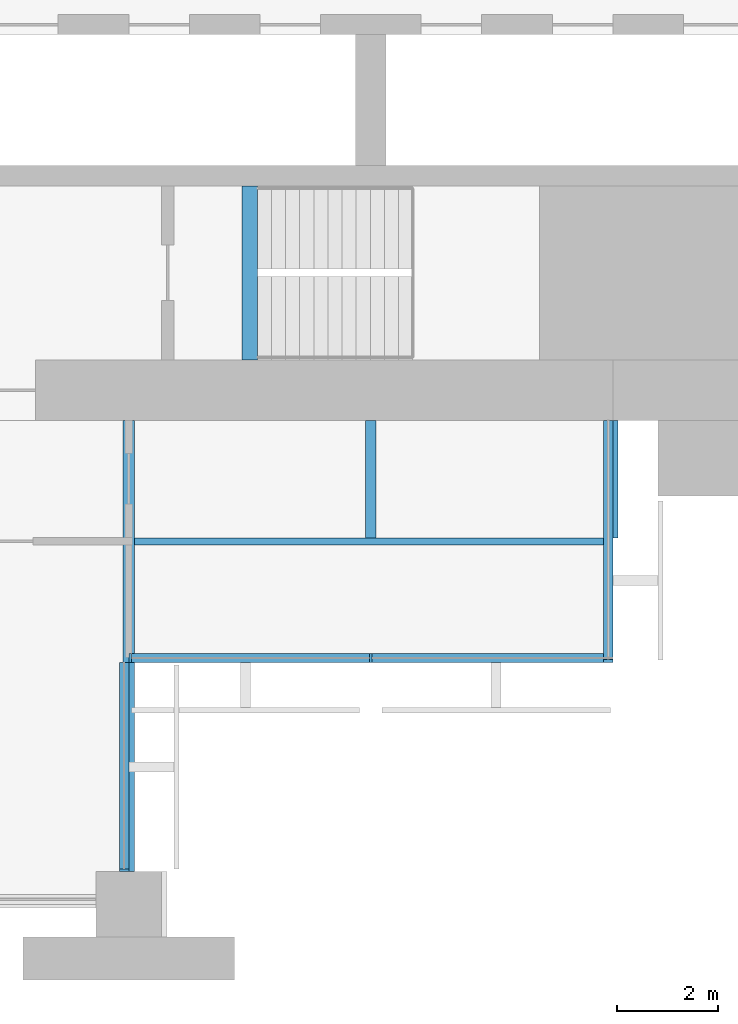
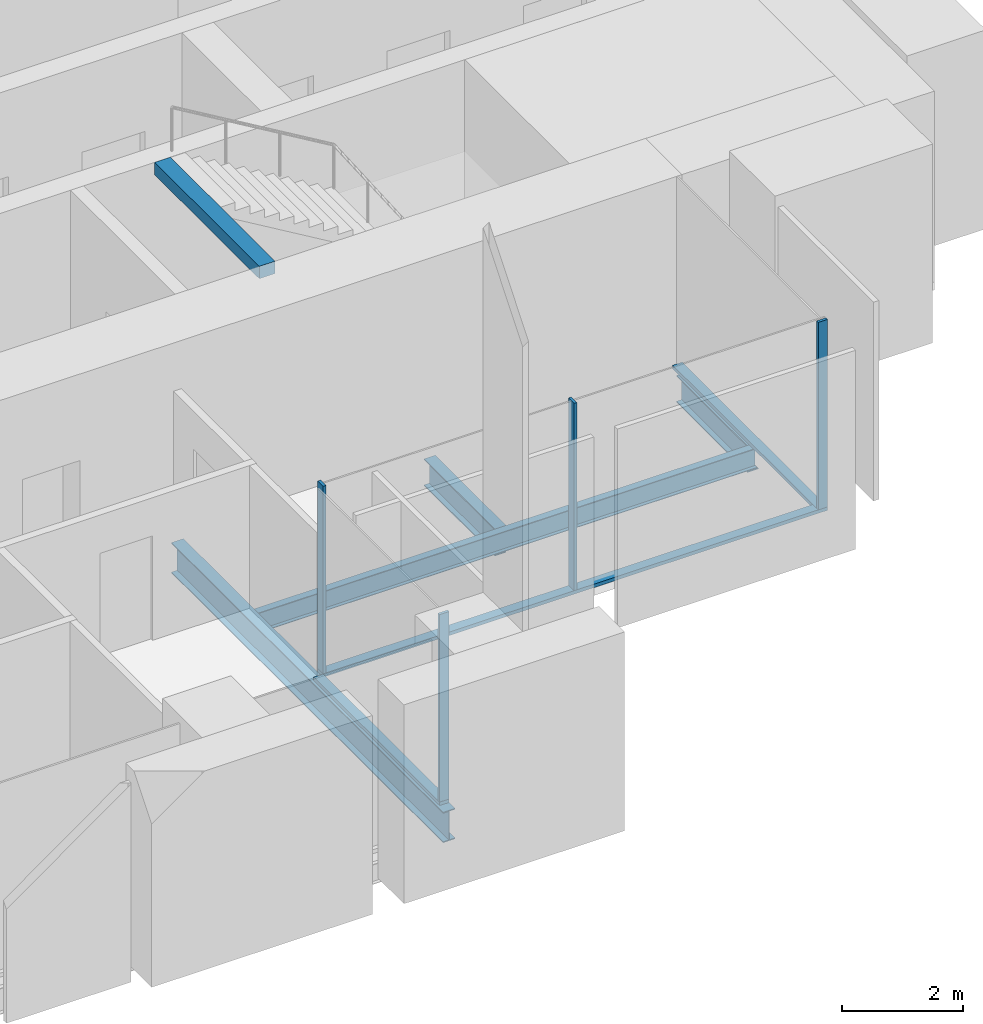
# One storey, part 4 of 14: 7 members, 5 beams, 3 elements without a shape of their own.
"""IFC4 building model written with IfcOpenShell, lengths in metres."""

from ifc_helpers import new_model, si_unit, direction, frame, origin, origin_2d, place, context, subcontext, project, spatial, rectangle, i_section, extrude, material, material_profile, profile_set, type_object, element, aggregate, save


model = new_model("IFC4")

# Units and contexts
model_context = context("Model", 3, precision=1e-05, world=origin(), true_north=direction((0.0, 1.0)))
body_context = subcontext(model_context, "Body", "Model", "MODEL_VIEW")
ifc_project = project(units=[si_unit("LENGTHUNIT", "METRE"), si_unit("AREAUNIT", "SQUARE_METRE"), si_unit("VOLUMEUNIT", "CUBIC_METRE"), si_unit("PLANEANGLEUNIT", "RADIAN"), si_unit("MASSUNIT", "GRAM", prefix="KILO")], contexts=[model_context])

# Site, building, storey
site_placement = place(None, origin())
site = spatial("IfcSite", under=ifc_project, at=site_placement, CompositionType="ELEMENT")
building_placement = place(site_placement, origin())
building = spatial("IfcBuilding", under=site, at=building_placement, Name="Baori Bourse Tower", CompositionType="ELEMENT")
storey_placement = place(building_placement, frame((0.0, 0.0, 75.0)))
storey = spatial("IfcBuildingStorey", under=building, at=storey_placement, Name="L16", CompositionType="ELEMENT", Elevation=75.0)

# Curtain wall, member
ifc_material_1 = material(Name="Pale anodised aluminium", Category="aluminium")
curtain_wall_type = type_object("IfcCurtainWallType", Name="CW2 Curtain wall", PredefinedType="NOTDEFINED", material=ifc_material_1)
curtain_wall_1_placement = place(storey_placement, origin())
curtain_wall_1 = element("IfcCurtainWall", 1, at=curtain_wall_1_placement, inside=storey, type_object=curtain_wall_type, Name="Curtain wall CW2 L16 12", PredefinedType="NOTDEFINED")
ifc_material_2 = material(Name="Pale anodised aluminium", Category="aluminium")
ifc_material_profile_1 = material_profile(ifc_material_2, rectangle(XDim=0.179931640625, YDim=0.054931640625, at=origin_2d()), Name="Mullion 55x180")
ifc_profile_set_1 = profile_set([ifc_material_profile_1], Name="Pale anodised aluminium")
member_type_1 = type_object("IfcMemberType", Name="CW2 Curtain wall mullion", PredefinedType="MULLION", material=ifc_profile_set_1)
member_1_placement = place(storey_placement, frame((43.110107421875, 0.677490234375, 0.070068359375), z_axis=(0.0, 0.0, 1.0), x_axis=(-1.0, 0.0, 0.0)))
member_1 = element("IfcMember", 2, at=member_1_placement, type_object=member_type_1, Name="Curtain wall CW2 mullion", PredefinedType="MULLION", context=body_context, shape_type="SweptSolid", body=[
    extrude(rectangle(XDim=0.179931640625, YDim=0.054931640625, at=origin_2d()), origin(), (0.0, 0.0, 1.0), 3.77001953125),
])

# Curtain wall, members
curtain_wall_2_placement = place(storey_placement, origin())
curtain_wall_2 = element("IfcCurtainWall", 3, at=curtain_wall_2_placement, inside=storey, type_object=curtain_wall_type, Name="Curtain wall CW2 L16 13", PredefinedType="NOTDEFINED")
member_2_placement = place(storey_placement, frame((43.2275390625, 4.889892578125, 0.070068359375), z_axis=(0.0, 0.0, 1.0), x_axis=(0.0, 1.0, 0.0)))
member_2 = element("IfcMember", 4, at=member_2_placement, type_object=member_type_1, Name="Curtain wall CW2 mullion", PredefinedType="MULLION", context=body_context, shape_type="SweptSolid", body=[
    extrude(rectangle(XDim=0.179931640625, YDim=0.054931640625, at=origin_2d()), origin(), (0.0, 0.0, 1.0), 3.77001953125),
])
member_3_placement = place(storey_placement, frame((48.0, 4.889892578125, 0.070068359375), z_axis=(0.0, 0.0, 1.0), x_axis=(0.0, 1.0, 0.0)))
member_3 = element("IfcMember", 5, at=member_3_placement, type_object=member_type_1, Name="Curtain wall CW2 mullion", PredefinedType="MULLION", context=body_context, shape_type="SweptSolid", body=[
    extrude(rectangle(XDim=0.179931640625, YDim=0.054931640625, at=origin_2d()), origin(), (0.0, 0.0, 1.0), 3.77001953125),
])

# Curtain wall, member
curtain_wall_3_placement = place(storey_placement, origin())
curtain_wall_3 = element("IfcCurtainWall", 6, at=curtain_wall_3_placement, inside=storey, type_object=curtain_wall_type, Name="Curtain wall CW2 L16 14", PredefinedType="NOTDEFINED")
member_4_placement = place(storey_placement, frame((52.7099609375, 4.827392578125, 0.070068359375), z_axis=(0.0, 0.0, 1.0), x_axis=(-1.0, 0.0, 0.0)))
member_4 = element("IfcMember", 7, at=member_4_placement, type_object=member_type_1, Name="Curtain wall CW2 mullion", PredefinedType="MULLION", context=body_context, shape_type="SweptSolid", body=[
    extrude(rectangle(XDim=0.179931640625, YDim=0.054931640625, at=origin_2d()), origin(), (0.0, 0.0, 1.0), 3.77001953125),
])

# Member
ifc_material_3 = material(Name="Pale anodised aluminium", Category="aluminium")
ifc_material_profile_2 = material_profile(ifc_material_3, rectangle(XDim=0.179931640625, YDim=0.070068359375, at=origin_2d()), Name="Transom 70x180")
ifc_profile_set_2 = profile_set([ifc_material_profile_2], Name="Pale anodised aluminium")
member_type_2 = type_object("IfcMemberType", Name="CW2 Curtain wall transom", PredefinedType="USERDEFINED", material=ifc_profile_set_2)
member_5_placement = place(storey_placement, frame((43.110107421875, 0.64990234375, 0.034912109375), z_axis=(0.0, 1.0, 0.0), x_axis=(-1.0, 0.0, 0.0)))
member_5 = element("IfcMember", 8, at=member_5_placement, type_object=member_type_2, Name="Curtain wall CW2 sill rail", ObjectType="TRANSOM", PredefinedType="USERDEFINED", context=body_context, shape_type="SweptSolid", body=[
    extrude(rectangle(XDim=0.179931640625, YDim=0.070068359375, at=origin_2d()), origin(), (0.0, 0.0, 1.0), 4.150146484375),
])

aggregate(curtain_wall_1, [member_5, member_1])

member_6_placement = place(storey_placement, frame((43.199951171875, 4.889892578125, 0.034912109375), z_axis=(1.0, 0.0, 0.0), x_axis=(0.0, 1.0, 0.0)))
member_6 = element("IfcMember", 9, at=member_6_placement, type_object=member_type_2, Name="Curtain wall CW2 sill rail", ObjectType="TRANSOM", PredefinedType="USERDEFINED", context=body_context, shape_type="SweptSolid", body=[
    extrude(rectangle(XDim=0.179931640625, YDim=0.070068359375, at=origin_2d()), origin(), (0.0, 0.0, 1.0), 9.60009765625),
])

aggregate(curtain_wall_2, [member_6, member_2, member_3])

member_7_placement = place(storey_placement, frame((52.7099609375, 4.800048828125, 0.034912109375), z_axis=(0.0, 1.0, 0.0), x_axis=(-1.0, 0.0, 0.0)))
member_7 = element("IfcMember", 10, at=member_7_placement, type_object=member_type_2, Name="Curtain wall CW2 sill rail", ObjectType="TRANSOM", PredefinedType="USERDEFINED", context=body_context, shape_type="SweptSolid", body=[
    extrude(rectangle(XDim=0.179931640625, YDim=0.070068359375, at=origin_2d()), origin(), (0.0, 0.0, 1.0), 4.800048828125),
])

aggregate(curtain_wall_3, [member_7, member_4])

# Beams
ifc_material_4 = material(Name="Steel A992 Gr 50", Category="steel")
ifc_material_profile_3 = material_profile(ifc_material_4, i_section(OverallWidth=0.21240234375, OverallDepth=0.54345703125, WebThickness=0.01318359375, FlangeThickness=0.021240234375, at=origin_2d()), Name="W21x83")
ifc_profile_set_3 = profile_set([ifc_material_profile_3], Name="Steel A992 Gr 50")
beam_type_1 = type_object("IfcBeamType", Name="Core bracket W21x83", PredefinedType="BEAM", material=ifc_profile_set_3)
for number, where, z_axis, x_axis, name in (
    (11, (48.0, 7.270263671875, -0.431884765625), (0.0, 1.0, 0.0), (-1.0, 0.0, 0.0), "Core bracket L16"),
    (12, (52.800048828125, 7.270263671875, -0.431884765625), (0.0, 1.0, 0.0), (-1.0, 0.0, 0.0), "Core bracket L16"),
):
    element("IfcBeam", number, at=place(storey_placement, frame(where, z_axis=z_axis, x_axis=x_axis)), inside=storey, type_object=beam_type_1, Name=name, PredefinedType="BEAM", context=body_context, shape_type="SweptSolid", body=[
        extrude(i_section(OverallWidth=0.21240234375, OverallDepth=0.54345703125, WebThickness=0.01318359375, FlangeThickness=0.021240234375, at=origin_2d()), origin(), (0.0, 0.0, 1.0), 2.329833984375),
    ])
ifc_material_5 = material(Name="Steel A992 Gr 50", Category="steel")
ifc_material_profile_4 = material_profile(ifc_material_5, i_section(OverallWidth=0.22900390625, OverallDepth=0.612060546875, WebThickness=0.011962890625, FlangeThickness=0.01953125, at=origin_2d()), Name="W24x84")
ifc_profile_set_4 = profile_set([ifc_material_profile_4], Name="Steel A992 Gr 50")
beam_type_2 = type_object("IfcBeamType", Name="Floor beam W24x84", PredefinedType="BEAM", material=ifc_profile_set_4)
beam_1_placement = place(storey_placement, frame((43.199951171875, 0.64990234375, -0.466064453125), z_axis=(0.0, 1.0, 0.0), x_axis=(-1.0, 0.0, 0.0)))
element("IfcBeam", 13, at=beam_1_placement, inside=storey, type_object=beam_type_2, Name="Floor beam L16", PredefinedType="BEAM", context=body_context, shape_type="SweptSolid", body=[
    extrude(i_section(OverallWidth=0.22900390625, OverallDepth=0.612060546875, WebThickness=0.011962890625, FlangeThickness=0.01953125, at=origin_2d()), origin(), (0.0, 0.0, 1.0), 8.9501953125),
])
ifc_material_6 = material(Name="Concrete f'c 50 MPa", Category="concrete")
ifc_material_profile_5 = material_profile(ifc_material_6, rectangle(XDim=0.300048828125, YDim=0.25, at=origin_2d()), Name="RC 300x250")
ifc_profile_set_5 = profile_set([ifc_material_profile_5], Name="Concrete f'c 50 MPa")
beam_type_3 = type_object("IfcBeamType", Name="Stair nib beam RC 300x250", PredefinedType="BEAM", material=ifc_profile_set_5)
beam_2_placement = place(storey_placement, frame((45.60009765625, 10.800048828125, 3.715087890625), z_axis=(0.0, 1.0, 0.0), x_axis=(-1.0, 0.0, 0.0)))
element("IfcBeam", 14, at=beam_2_placement, inside=storey, type_object=beam_type_3, Name="Stair EA nib beam L17", PredefinedType="BEAM", context=body_context, shape_type="SweptSolid", body=[
    extrude(rectangle(XDim=0.300048828125, YDim=0.25, at=origin_2d()), origin(), (0.0, 0.0, 1.0), 3.449951171875),
])
ifc_material_7 = material(Name="Steel A992 Gr 50", Category="steel")
ifc_material_profile_6 = material_profile(ifc_material_7, i_section(OverallWidth=0.140380859375, OverallDepth=0.40380859375, WebThickness=0.007080078125, FlangeThickness=0.01123046875, at=origin_2d()), Name="W16x31")
ifc_profile_set_6 = profile_set([ifc_material_profile_6], Name="Steel A992 Gr 50")
beam_type_4 = type_object("IfcBeamType", Name="Trimmer beam W16x31", PredefinedType="BEAM", material=ifc_profile_set_6)
beam_3_placement = place(storey_placement, frame((43.314453125, 7.199951171875, -0.36181640625), z_axis=(1.0, 0.0, 0.0), x_axis=(0.0, 1.0, 0.0)))
element("IfcBeam", 15, at=beam_3_placement, inside=storey, type_object=beam_type_4, Name="Trimmer beam L16", PredefinedType="BEAM", context=body_context, shape_type="SweptSolid", body=[
    extrude(i_section(OverallWidth=0.140380859375, OverallDepth=0.40380859375, WebThickness=0.007080078125, FlangeThickness=0.01123046875, at=origin_2d()), origin(), (0.0, 0.0, 1.0), 9.485595703125),
])

save(model, "model.ifc")
